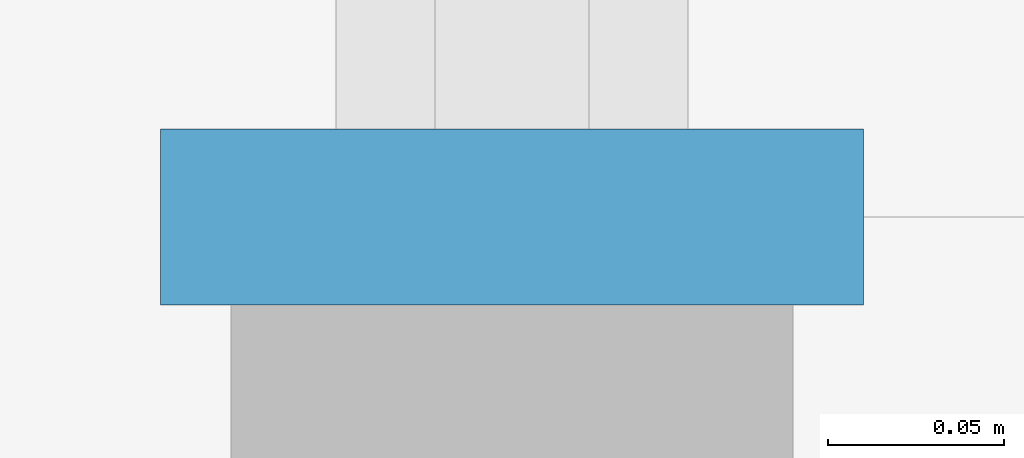
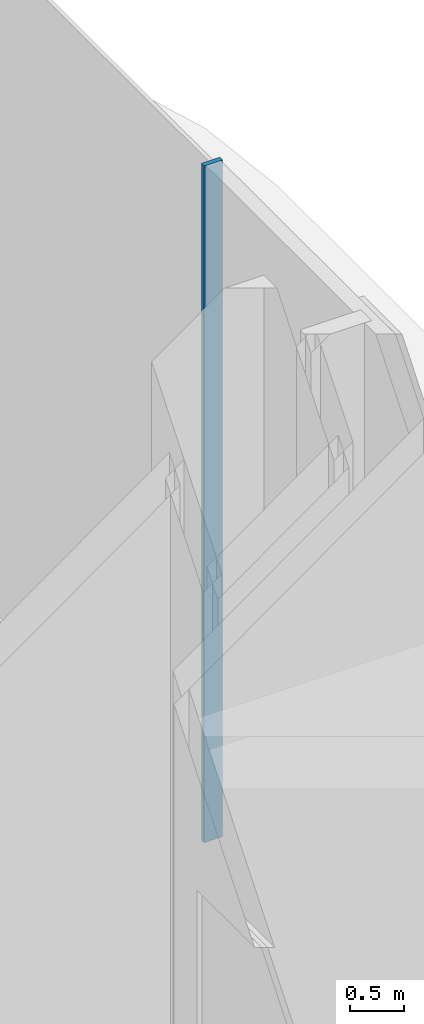
# One storey, part 10 of 42: 1 member, 1 element without a shape of its own.
"""IFC4 building model written with IfcOpenShell, lengths in metres."""

import ifcopenshell
import ifcopenshell.guid

model = None  # the IFC model being written
_history = None  # IfcOwnerHistory: only IFC2X3 demands one
_inside = {}  # id of a spatial element -> (the spatial element, [elements in it])
_under = {}  # id of a project, library or spatial element -> (it, [spatial elements below it])
_declared = {}  # id of a project -> (the project, [libraries it declares])
_typed = {}  # id of a type object -> (the type object, [elements of that type])
_made_of = {}  # id of a material, layer set ... -> (it, [elements and type objects made of it])


def new_model(schema):
    """Start an empty IFC model of exactly this schema.

    Asked for "IFC4X3", IfcOpenShell would pick the latest addendum, in which some entities
    have other attributes; the version numbers below select the first issue.
    IFC2X3 requires an IfcOwnerHistory on every rooted entity: one is made here for all.
    """
    global model, _history
    if schema == "IFC4X3":
        model = ifcopenshell.file(schema_version=(4, 3, 0, 0))
    else:
        model = ifcopenshell.file(schema=schema)
    _inside.clear()
    _under.clear()
    _declared.clear()
    _typed.clear()
    _made_of.clear()
    _history = None
    if model.schema == "IFC2X3":
        org = make("IfcOrganization", Name="unknown")
        user = make(
            "IfcPersonAndOrganization",
            ThePerson=make("IfcPerson", FamilyName="unknown"),
            TheOrganization=org,
        )
        app = make(
            "IfcApplication",
            ApplicationDeveloper=org,
            Version="unknown",
            ApplicationFullName="unknown",
            ApplicationIdentifier="unknown",
        )
        _history = make(
            "IfcOwnerHistory",
            OwningUser=user,
            OwningApplication=app,
            ChangeAction="ADDED",
            CreationDate=0,
        )
    return model


def make(cls, **values):
    """One entity of the class cls with the attributes given. An attribute that is None is left unset."""
    return model.create_entity(
        cls, **{name: value for name, value in values.items() if value is not None}
    )


def rooted(cls, **values):
    """An entity with a GlobalId (a new one), such as an element, a storey or a relation."""
    return make(cls, GlobalId=ifcopenshell.guid.new(), OwnerHistory=_history, **values)


def si_unit(unit_type, name, prefix=None):
    """IfcSIUnit, for example si_unit("LENGTHUNIT", "METRE", prefix="MILLI")."""
    return make("IfcSIUnit", UnitType=unit_type, Prefix=prefix, Name=name)


def assignment(units):
    """IfcUnitAssignment: the units of a project."""
    return None if units is None else make("IfcUnitAssignment", Units=units)


def point(xyz):
    """IfcCartesianPoint."""
    return None if xyz is None else make("IfcCartesianPoint", Coordinates=xyz)


def direction(xyz):
    """IfcDirection."""
    return None if xyz is None else make("IfcDirection", DirectionRatios=xyz)


def frame(location, z_axis=None, x_axis=None):
    """IfcAxis2Placement3D, a coordinate frame: its origin and axes. An axis left out is left unset."""
    return make(
        "IfcAxis2Placement3D",
        Location=point(location),
        Axis=direction(z_axis),
        RefDirection=direction(x_axis),
    )


def frame_2d(location, x_axis=None):
    """IfcAxis2Placement2D, a coordinate frame in the plane: its origin and x axis."""
    return make(
        "IfcAxis2Placement2D", Location=point(location), RefDirection=direction(x_axis)
    )


def origin():
    """The frame at (0, 0, 0) with its axes left unset."""
    return frame((0.0, 0.0, 0.0))


def origin_2d():
    """The frame at (0, 0) in the plane with its x axis left unset."""
    return frame_2d((0.0, 0.0))


def place(relative_to, where):
    """IfcLocalPlacement: puts the frame where relative to a parent placement (None: the world)."""
    return make(
        "IfcLocalPlacement", PlacementRelTo=relative_to, RelativePlacement=where
    )


def context(
    kind, dimensions, precision=None, world=None, true_north=None, identifier=None
):
    """IfcGeometricRepresentationContext, for example the 3D "Model" context."""
    return make(
        "IfcGeometricRepresentationContext",
        ContextIdentifier=identifier,
        ContextType=kind,
        CoordinateSpaceDimension=dimensions,
        Precision=precision,
        WorldCoordinateSystem=world,
        TrueNorth=true_north,
    )


def subcontext(parent, identifier, kind, view, scale=None):
    """IfcGeometricRepresentationSubContext, for example "Body" below "Model"."""
    return make(
        "IfcGeometricRepresentationSubContext",
        ContextIdentifier=identifier,
        ContextType=kind,
        ParentContext=parent,
        TargetScale=scale,
        TargetView=view,
    )


def project(units=None, contexts=None):
    """IfcProject with its units and contexts."""
    return rooted(
        "IfcProject",
        Name="project",
        RepresentationContexts=contexts,
        UnitsInContext=assignment(units),
    )


def spatial(cls, under=None, at=None, **own):
    """A site, building, storey or space (cls), placed at a placement, below another one or the project."""
    s = rooted(cls, ObjectPlacement=at, **own)
    if under is not None:
        _under.setdefault(under.id(), (under, []))[1].append(s)
    return s


def profile(cls, at=None, kind="AREA", **sizes):
    """A parametric profile (cls). Its sizes go by their IFC names, for example OverallWidth=200.0."""
    return make(cls, ProfileType=kind, Position=at, **sizes)


def rectangle(**sizes):
    """IfcRectangleProfileDef."""
    return profile("IfcRectangleProfileDef", **sizes)


def extrude(swept, where, along, depth):
    """IfcExtrudedAreaSolid: the profile swept, set in the frame where, extruded along a direction by depth."""
    return make(
        "IfcExtrudedAreaSolid",
        SweptArea=swept,
        Position=where,
        ExtrudedDirection=direction(along),
        Depth=depth,
    )


def shape(context_of_items, identifier, shape_type, items):
    """IfcShapeRepresentation: the items that make up one representation, for example the "Body"."""
    return make(
        "IfcShapeRepresentation",
        ContextOfItems=context_of_items,
        RepresentationIdentifier=identifier,
        RepresentationType=shape_type,
        Items=items,
    )


def material(Name=None, Category=None):
    """IfcMaterial."""
    return make("IfcMaterial", Name=Name, Category=Category)


def layer(
    of_material, thickness, ventilated=None, Name=None, Category=None, Priority=None
):
    """IfcMaterialLayer: one layer of a wall or slab, of a material (None: an air gap)."""
    return make(
        "IfcMaterialLayer",
        Material=of_material,
        LayerThickness=thickness,
        IsVentilated=ventilated,
        Name=Name,
        Category=Category,
        Priority=Priority,
    )


def layer_set(layers, Name=None):
    """IfcMaterialLayerSet."""
    return make("IfcMaterialLayerSet", MaterialLayers=layers, LayerSetName=Name)


def material_profile(
    of_material, cross_section, Name=None, Category=None, Priority=None
):
    """IfcMaterialProfile: a cross section and its material."""
    return make(
        "IfcMaterialProfile",
        Name=Name,
        Material=of_material,
        Profile=cross_section,
        Priority=Priority,
        Category=Category,
    )


def profile_set(profiles, Name=None, composite=None):
    """IfcMaterialProfileSet."""
    return make(
        "IfcMaterialProfileSet",
        Name=Name,
        MaterialProfiles=profiles,
        CompositeProfile=composite,
    )


def made_of(thing, what):
    """Note that an element or type object is made of a material, layer set ...; save() writes the relation."""
    if what is not None:
        _made_of.setdefault(what.id(), (what, []))[1].append(thing)
    return thing


def type_object(cls, material=None, **own):
    """A type object (cls), such as IfcWallType, which elements share."""
    return made_of(rooted(cls, **own), material)


def element(
    cls,
    number,
    at=None,
    inside=None,
    cuts=None,
    type_object=None,
    material=None,
    context=None,
    identifier="Body",
    shape_type=None,
    held_by="IfcProductDefinitionShape",
    body=None,
    shapes=None,
    **own,
):
    """One element of the class cls, such as IfcWall. Its Tag is "e" and its number.

    at: its placement. inside: the storey or other place that contains it. cuts: it is an
    opening in that element (IfcRelVoidsElement). A single representation is given by context,
    identifier, shape_type and body (its items); several are given by shapes. held_by: the class
    of the entity that holds the representations. save() writes the other relations.
    """
    e = rooted(cls, Tag="e%d" % number, ObjectPlacement=at, **own)
    if body is not None:
        shapes = [shape(context, identifier, shape_type, body)]
    if shapes is not None:
        e.Representation = make(held_by, Representations=shapes)
    if inside is not None:
        _inside.setdefault(inside.id(), (inside, []))[1].append(e)
    if cuts is not None:
        rooted(
            "IfcRelVoidsElement", RelatingBuildingElement=cuts, RelatedOpeningElement=e
        )
    if type_object is not None:
        _typed.setdefault(type_object.id(), (type_object, []))[1].append(e)
    return made_of(e, material)


def aggregate(whole, parts):
    """IfcRelAggregates: a whole, such as a stair, and the parts it consists of."""
    return rooted("IfcRelAggregates", RelatingObject=whole, RelatedObjects=parts)


def save(model, path):
    """Write the relations noted so far, then the file.

    IfcRelAggregates (storeys below a building ...), IfcRelContainedInSpatialStructure (elements
    in a storey), IfcRelDefinesByType, IfcRelAssociatesMaterial and IfcRelDeclares: one each for
    every whole, place, type object, material and project.
    """
    for whole, parts in _under.values():
        aggregate(whole, parts)
    for where, things in _inside.values():
        rooted(
            "IfcRelContainedInSpatialStructure",
            RelatedElements=things,
            RelatingStructure=where,
        )
    for kind, things in _typed.values():
        rooted("IfcRelDefinesByType", RelatedObjects=things, RelatingType=kind)
    for what, things in _made_of.values():
        rooted("IfcRelAssociatesMaterial", RelatedObjects=things, RelatingMaterial=what)
    for by, libraries in _declared.values():
        rooted("IfcRelDeclares", RelatingContext=by, RelatedDefinitions=libraries)
    model.write(path)


model = new_model("IFC4")

# Units and contexts
model_context = context("Model", 3, precision=1e-05, world=origin(), true_north=direction((0.0, 1.0)))
body_context = subcontext(model_context, "Body", "Model", "MODEL_VIEW")
ifc_project = project(units=[si_unit("LENGTHUNIT", "METRE"), si_unit("AREAUNIT", "SQUARE_METRE"), si_unit("VOLUMEUNIT", "CUBIC_METRE"), si_unit("PLANEANGLEUNIT", "RADIAN"), si_unit("MASSUNIT", "GRAM", prefix="KILO")], contexts=[model_context])

# Site, building, storey
site_placement = place(None, origin())
site = spatial("IfcSite", under=ifc_project, at=site_placement, CompositionType="ELEMENT")
building_placement = place(site_placement, origin())
building = spatial("IfcBuilding", under=site, at=building_placement, Name="Plateau Cross Towers", CompositionType="ELEMENT")
storey_placement = place(building_placement, origin())
storey = spatial("IfcBuildingStorey", under=building, at=storey_placement, Name="L00", CompositionType="ELEMENT", Elevation=0.0)

# Curtain wall, member
ifc_material_1 = material(Name="Dark low-iron laminated glass", Category="glass")
ifc_layer = layer(ifc_material_1, 0.300048828125)
ifc_layer_set = layer_set([ifc_layer], Name="Dark low-iron laminated glass")
curtain_wall_type = type_object("IfcCurtainWallType", Name="Curtain wall structural silicone CW-C", PredefinedType="NOTDEFINED", material=ifc_layer_set)
curtain_wall_placement = place(storey_placement, origin())
curtain_wall = element("IfcCurtainWall", 1, at=curtain_wall_placement, inside=storey, type_object=curtain_wall_type, Name="ENV/P/L00/P1078_479", PredefinedType="NOTDEFINED")
ifc_material_2 = material(Name="Black anodised aluminium", Category="aluminium")
ifc_material_profile = material_profile(ifc_material_2, rectangle(XDim=0.050048828125, YDim=0.199951171875, at=origin_2d()), Name="MULLION 50x200")
ifc_profile_set = profile_set([ifc_material_profile], Name="Black anodised aluminium")
member_type = type_object("IfcMemberType", Name="Mullion 50x200 structural silicone", PredefinedType="MULLION", material=ifc_profile_set)
member_placement = place(storey_placement, frame((107.85009765625, 47.860107421875, 0.0), z_axis=(0.0, 0.0, 1.0), x_axis=(0.0, 1.0, 0.0)))
member = element("IfcMember", 2, at=member_placement, type_object=member_type, Name="CW-C mullion 1", PredefinedType="MULLION", context=body_context, shape_type="SweptSolid", body=[
    extrude(rectangle(XDim=0.050048828125, YDim=0.199951171875, at=origin_2d()), origin(), (0.0, 0.0, 1.0), 7.64990234375),
])
aggregate(curtain_wall, [member])

save(model, "model.ifc")
